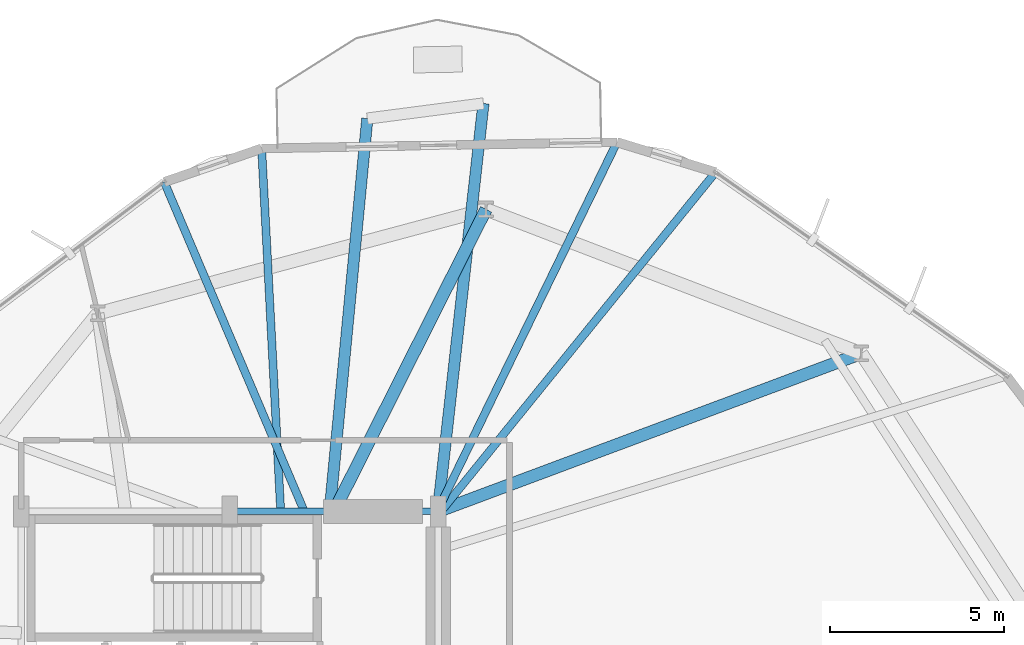
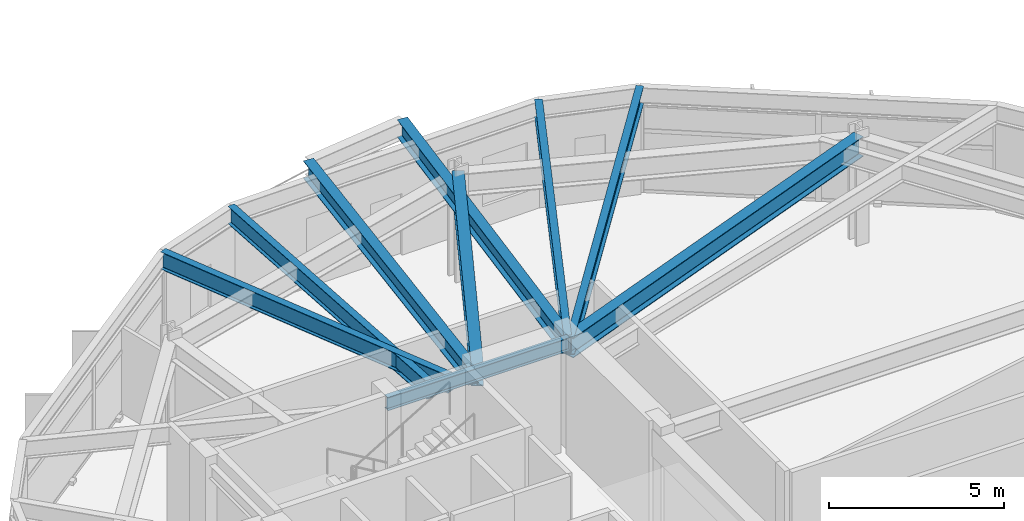
# One storey, part 12 of 23: 9 beams.
"""IFC4 building model written with IfcOpenShell, lengths in metres."""

import ifcopenshell
import ifcopenshell.guid

model = None  # the IFC model being written
_history = None  # IfcOwnerHistory: only IFC2X3 demands one
_inside = {}  # id of a spatial element -> (the spatial element, [elements in it])
_under = {}  # id of a project, library or spatial element -> (it, [spatial elements below it])
_declared = {}  # id of a project -> (the project, [libraries it declares])
_typed = {}  # id of a type object -> (the type object, [elements of that type])
_made_of = {}  # id of a material, layer set ... -> (it, [elements and type objects made of it])


def new_model(schema):
    """Start an empty IFC model of exactly this schema.

    Asked for "IFC4X3", IfcOpenShell would pick the latest addendum, in which some entities
    have other attributes; the version numbers below select the first issue.
    IFC2X3 requires an IfcOwnerHistory on every rooted entity: one is made here for all.
    """
    global model, _history
    if schema == "IFC4X3":
        model = ifcopenshell.file(schema_version=(4, 3, 0, 0))
    else:
        model = ifcopenshell.file(schema=schema)
    _inside.clear()
    _under.clear()
    _declared.clear()
    _typed.clear()
    _made_of.clear()
    _history = None
    if model.schema == "IFC2X3":
        org = make("IfcOrganization", Name="unknown")
        user = make(
            "IfcPersonAndOrganization",
            ThePerson=make("IfcPerson", FamilyName="unknown"),
            TheOrganization=org,
        )
        app = make(
            "IfcApplication",
            ApplicationDeveloper=org,
            Version="unknown",
            ApplicationFullName="unknown",
            ApplicationIdentifier="unknown",
        )
        _history = make(
            "IfcOwnerHistory",
            OwningUser=user,
            OwningApplication=app,
            ChangeAction="ADDED",
            CreationDate=0,
        )
    return model


def make(cls, **values):
    """One entity of the class cls with the attributes given. An attribute that is None is left unset."""
    return model.create_entity(
        cls, **{name: value for name, value in values.items() if value is not None}
    )


def rooted(cls, **values):
    """An entity with a GlobalId (a new one), such as an element, a storey or a relation."""
    return make(cls, GlobalId=ifcopenshell.guid.new(), OwnerHistory=_history, **values)


def si_unit(unit_type, name, prefix=None):
    """IfcSIUnit, for example si_unit("LENGTHUNIT", "METRE", prefix="MILLI")."""
    return make("IfcSIUnit", UnitType=unit_type, Prefix=prefix, Name=name)


def assignment(units):
    """IfcUnitAssignment: the units of a project."""
    return None if units is None else make("IfcUnitAssignment", Units=units)


def point(xyz):
    """IfcCartesianPoint."""
    return None if xyz is None else make("IfcCartesianPoint", Coordinates=xyz)


def direction(xyz):
    """IfcDirection."""
    return None if xyz is None else make("IfcDirection", DirectionRatios=xyz)


def frame(location, z_axis=None, x_axis=None):
    """IfcAxis2Placement3D, a coordinate frame: its origin and axes. An axis left out is left unset."""
    return make(
        "IfcAxis2Placement3D",
        Location=point(location),
        Axis=direction(z_axis),
        RefDirection=direction(x_axis),
    )


def frame_2d(location, x_axis=None):
    """IfcAxis2Placement2D, a coordinate frame in the plane: its origin and x axis."""
    return make(
        "IfcAxis2Placement2D", Location=point(location), RefDirection=direction(x_axis)
    )


def origin():
    """The frame at (0, 0, 0) with its axes left unset."""
    return frame((0.0, 0.0, 0.0))


def origin_2d():
    """The frame at (0, 0) in the plane with its x axis left unset."""
    return frame_2d((0.0, 0.0))


def place(relative_to, where):
    """IfcLocalPlacement: puts the frame where relative to a parent placement (None: the world)."""
    return make(
        "IfcLocalPlacement", PlacementRelTo=relative_to, RelativePlacement=where
    )


def context(
    kind, dimensions, precision=None, world=None, true_north=None, identifier=None
):
    """IfcGeometricRepresentationContext, for example the 3D "Model" context."""
    return make(
        "IfcGeometricRepresentationContext",
        ContextIdentifier=identifier,
        ContextType=kind,
        CoordinateSpaceDimension=dimensions,
        Precision=precision,
        WorldCoordinateSystem=world,
        TrueNorth=true_north,
    )


def subcontext(parent, identifier, kind, view, scale=None):
    """IfcGeometricRepresentationSubContext, for example "Body" below "Model"."""
    return make(
        "IfcGeometricRepresentationSubContext",
        ContextIdentifier=identifier,
        ContextType=kind,
        ParentContext=parent,
        TargetScale=scale,
        TargetView=view,
    )


def project(units=None, contexts=None):
    """IfcProject with its units and contexts."""
    return rooted(
        "IfcProject",
        Name="project",
        RepresentationContexts=contexts,
        UnitsInContext=assignment(units),
    )


def spatial(cls, under=None, at=None, **own):
    """A site, building, storey or space (cls), placed at a placement, below another one or the project."""
    s = rooted(cls, ObjectPlacement=at, **own)
    if under is not None:
        _under.setdefault(under.id(), (under, []))[1].append(s)
    return s


def profile(cls, at=None, kind="AREA", **sizes):
    """A parametric profile (cls). Its sizes go by their IFC names, for example OverallWidth=200.0."""
    return make(cls, ProfileType=kind, Position=at, **sizes)


def i_section(**sizes):
    """IfcIShapeProfileDef."""
    return profile("IfcIShapeProfileDef", **sizes)


def extrude(swept, where, along, depth):
    """IfcExtrudedAreaSolid: the profile swept, set in the frame where, extruded along a direction by depth."""
    return make(
        "IfcExtrudedAreaSolid",
        SweptArea=swept,
        Position=where,
        ExtrudedDirection=direction(along),
        Depth=depth,
    )


def shape(context_of_items, identifier, shape_type, items):
    """IfcShapeRepresentation: the items that make up one representation, for example the "Body"."""
    return make(
        "IfcShapeRepresentation",
        ContextOfItems=context_of_items,
        RepresentationIdentifier=identifier,
        RepresentationType=shape_type,
        Items=items,
    )


def material(Name=None, Category=None):
    """IfcMaterial."""
    return make("IfcMaterial", Name=Name, Category=Category)


def material_profile(
    of_material, cross_section, Name=None, Category=None, Priority=None
):
    """IfcMaterialProfile: a cross section and its material."""
    return make(
        "IfcMaterialProfile",
        Name=Name,
        Material=of_material,
        Profile=cross_section,
        Priority=Priority,
        Category=Category,
    )


def profile_set(profiles, Name=None, composite=None):
    """IfcMaterialProfileSet."""
    return make(
        "IfcMaterialProfileSet",
        Name=Name,
        MaterialProfiles=profiles,
        CompositeProfile=composite,
    )


def made_of(thing, what):
    """Note that an element or type object is made of a material, layer set ...; save() writes the relation."""
    if what is not None:
        _made_of.setdefault(what.id(), (what, []))[1].append(thing)
    return thing


def type_object(cls, material=None, **own):
    """A type object (cls), such as IfcWallType, which elements share."""
    return made_of(rooted(cls, **own), material)


def element(
    cls,
    number,
    at=None,
    inside=None,
    cuts=None,
    type_object=None,
    material=None,
    context=None,
    identifier="Body",
    shape_type=None,
    held_by="IfcProductDefinitionShape",
    body=None,
    shapes=None,
    **own,
):
    """One element of the class cls, such as IfcWall. Its Tag is "e" and its number.

    at: its placement. inside: the storey or other place that contains it. cuts: it is an
    opening in that element (IfcRelVoidsElement). A single representation is given by context,
    identifier, shape_type and body (its items); several are given by shapes. held_by: the class
    of the entity that holds the representations. save() writes the other relations.
    """
    e = rooted(cls, Tag="e%d" % number, ObjectPlacement=at, **own)
    if body is not None:
        shapes = [shape(context, identifier, shape_type, body)]
    if shapes is not None:
        e.Representation = make(held_by, Representations=shapes)
    if inside is not None:
        _inside.setdefault(inside.id(), (inside, []))[1].append(e)
    if cuts is not None:
        rooted(
            "IfcRelVoidsElement", RelatingBuildingElement=cuts, RelatedOpeningElement=e
        )
    if type_object is not None:
        _typed.setdefault(type_object.id(), (type_object, []))[1].append(e)
    return made_of(e, material)


def aggregate(whole, parts):
    """IfcRelAggregates: a whole, such as a stair, and the parts it consists of."""
    return rooted("IfcRelAggregates", RelatingObject=whole, RelatedObjects=parts)


def save(model, path):
    """Write the relations noted so far, then the file.

    IfcRelAggregates (storeys below a building ...), IfcRelContainedInSpatialStructure (elements
    in a storey), IfcRelDefinesByType, IfcRelAssociatesMaterial and IfcRelDeclares: one each for
    every whole, place, type object, material and project.
    """
    for whole, parts in _under.values():
        aggregate(whole, parts)
    for where, things in _inside.values():
        rooted(
            "IfcRelContainedInSpatialStructure",
            RelatedElements=things,
            RelatingStructure=where,
        )
    for kind, things in _typed.values():
        rooted("IfcRelDefinesByType", RelatedObjects=things, RelatingType=kind)
    for what, things in _made_of.values():
        rooted("IfcRelAssociatesMaterial", RelatedObjects=things, RelatingMaterial=what)
    for by, libraries in _declared.values():
        rooted("IfcRelDeclares", RelatingContext=by, RelatedDefinitions=libraries)
    model.write(path)


model = new_model("IFC4")

# Units and contexts
model_context = context("Model", 3, precision=1e-05, world=origin(), true_north=direction((0.0, 1.0)))
body_context = subcontext(model_context, "Body", "Model", "MODEL_VIEW")
ifc_project = project(units=[si_unit("LENGTHUNIT", "METRE"), si_unit("AREAUNIT", "SQUARE_METRE"), si_unit("VOLUMEUNIT", "CUBIC_METRE"), si_unit("PLANEANGLEUNIT", "RADIAN"), si_unit("MASSUNIT", "GRAM", prefix="KILO")], contexts=[model_context])

# Site, building, storey
site_placement = place(None, origin())
site = spatial("IfcSite", under=ifc_project, at=site_placement, CompositionType="ELEMENT")
building_placement = place(site_placement, origin())
building = spatial("IfcBuilding", under=site, at=building_placement, Name="Soratama Intermodal Tower", CompositionType="ELEMENT")
storey_placement = place(building_placement, frame((0.0, 0.0, 30.60009765625)))
storey = spatial("IfcBuildingStorey", under=building, at=storey_placement, Name="L06", CompositionType="ELEMENT", Elevation=30.60009765625)

# Beams
ifc_material_1 = material(Name="Structural steel ASTM A992 Grade 50", Category="steel")
ifc_material_profile_1 = material_profile(ifc_material_1, i_section(OverallWidth=0.324951171875, OverallDepth=0.615966796875, WebThickness=0.013916015625, FlangeThickness=0.021484375, FilletRadius=0.013916015625, at=origin_2d()), Name="W24X117")
ifc_profile_set_1 = profile_set([ifc_material_profile_1], Name="Structural steel ASTM A992 Grade 50")
beam_type_1 = type_object("IfcBeamType", Name="BM-CANT-W24X117", PredefinedType="BEAM", material=ifc_profile_set_1)
beam_1_placement = place(storey_placement, frame((44.595947265625, 35.0400390625, 3.391845703125), z_axis=(0.111166480456, 0.993801797957, 0.0), x_axis=(-0.993801797957, 0.111166480456, 0.0)))
element("IfcBeam", 1, at=beam_1_placement, inside=storey, type_object=beam_type_1, Name="BM-L06-CANT-2-1", PredefinedType="BEAM", context=body_context, shape_type="SweptSolid", body=[
    extrude(i_section(OverallWidth=0.324951171875, OverallDepth=0.615966796875, WebThickness=0.013916015625, FlangeThickness=0.021484375, FilletRadius=0.013916015625, at=origin_2d()), origin(), (0.0, 0.0, 1.0), 11.77587890625),
])
beam_2_placement = place(storey_placement, frame((41.48193359375, 35.0400390625, 3.391845703125), z_axis=(0.095415685915, 0.995437515307, 0.0), x_axis=(-0.995437515307, 0.095415685915, 0.0)))
element("IfcBeam", 2, at=beam_2_placement, inside=storey, type_object=beam_type_1, Name="BM-L06-CANT-2-2", PredefinedType="BEAM", context=body_context, shape_type="SweptSolid", body=[
    extrude(i_section(OverallWidth=0.324951171875, OverallDepth=0.615966796875, WebThickness=0.013916015625, FlangeThickness=0.021484375, FilletRadius=0.013916015625, at=origin_2d()), origin(), (0.0, 0.0, 1.0), 11.31982421875),
])
ifc_material_2 = material(Name="Structural steel ASTM A992 Grade 50", Category="steel")
ifc_material_profile_2 = material_profile(ifc_material_2, i_section(OverallWidth=0.19091796875, OverallDepth=0.4599609375, WebThickness=0.010009765625, FlangeThickness=0.01611328125, FilletRadius=0.010986328125, at=origin_2d()), Name="W18X55")
ifc_profile_set_2 = profile_set([ifc_material_profile_2], Name="Structural steel ASTM A992 Grade 50")
beam_type_2 = type_object("IfcBeamType", Name="BM-FLR-W18X55", PredefinedType="BEAM", material=ifc_profile_set_2)
beam_3_placement = place(storey_placement, frame((44.60009765625, 35.0, 3.469970703125), z_axis=(-1.0, 0.0, 0.0), x_axis=(0.0, -1.0, 0.0)))
element("IfcBeam", 3, at=beam_3_placement, inside=storey, type_object=beam_type_2, Name="BM-L06-CRING-06", PredefinedType="BEAM", context=body_context, shape_type="SweptSolid", body=[
    extrude(i_section(OverallWidth=0.19091796875, OverallDepth=0.4599609375, WebThickness=0.010009765625, FlangeThickness=0.01611328125, FilletRadius=0.010986328125, at=origin_2d()), origin(), (0.0, 0.0, 1.0), 6.0),
])
ifc_material_3 = material(Name="Structural steel ASTM A992 Grade 50", Category="steel")
ifc_material_profile_3 = material_profile(ifc_material_3, i_section(OverallWidth=0.35498046875, OverallDepth=0.695068359375, WebThickness=0.015380859375, FlangeThickness=0.02490234375, FilletRadius=0.01611328125, at=origin_2d()), Name="W27X146")
ifc_profile_set_3 = profile_set([ifc_material_profile_3], Name="Structural steel ASTM A992 Grade 50")
beam_type_3 = type_object("IfcBeamType", Name="BM-RING-W27X146", PredefinedType="BEAM", material=ifc_profile_set_3)
beam_4_placement = place(storey_placement, frame((44.60009765625, 35.0, 3.352294921875), z_axis=(0.936827486358, 0.349791739189, 0.0), x_axis=(-0.349791739189, 0.936827486358, 0.0)))
element("IfcBeam", 4, at=beam_4_placement, inside=storey, type_object=beam_type_3, Name="BM-L06-RAD-02", PredefinedType="BEAM", context=body_context, shape_type="SweptSolid", body=[
    extrude(i_section(OverallWidth=0.35498046875, OverallDepth=0.695068359375, WebThickness=0.015380859375, FlangeThickness=0.02490234375, FilletRadius=0.01611328125, at=origin_2d()), origin(), (0.0, 0.0, 1.0), 13.002197265625),
])
beam_5_placement = place(storey_placement, frame((41.60009765625, 35.0, 3.352294921875), z_axis=(0.449910017166, 0.893073891934, 0.0), x_axis=(-0.893073891934, 0.449910017166, 0.0)))
element("IfcBeam", 5, at=beam_5_placement, inside=storey, type_object=beam_type_3, Name="BM-L06-RAD-03", PredefinedType="BEAM", context=body_context, shape_type="SweptSolid", body=[
    extrude(i_section(OverallWidth=0.35498046875, OverallDepth=0.695068359375, WebThickness=0.015380859375, FlangeThickness=0.02490234375, FilletRadius=0.01611328125, at=origin_2d()), origin(), (0.0, 0.0, 1.0), 9.735107421875),
])
ifc_material_4 = material(Name="Structural steel ASTM A992 Grade 50", Category="steel")
ifc_material_profile_4 = material_profile(ifc_material_4, i_section(OverallWidth=0.22900390625, OverallDepth=0.612060546875, WebThickness=0.011962890625, FlangeThickness=0.01953125, FilletRadius=0.012939453125, at=origin_2d()), Name="W24X84")
ifc_profile_set_4 = profile_set([ifc_material_profile_4], Name="Structural steel ASTM A992 Grade 50")
beam_type_4 = type_object("IfcBeamType", Name="BM-TIE-W24X84", PredefinedType="BEAM", material=ifc_profile_set_4)
beam_6_placement = place(storey_placement, frame((44.625, 34.93310546875, 3.393798828125), z_axis=(0.629325360479, 0.777141937267, 0.0), x_axis=(-0.777141937267, 0.629325360479, 0.0)))
element("IfcBeam", 6, at=beam_6_placement, inside=storey, type_object=beam_type_4, Name="BM-L06-TIE1-02", PredefinedType="BEAM", context=body_context, shape_type="SweptSolid", body=[
    extrude(i_section(OverallWidth=0.22900390625, OverallDepth=0.612060546875, WebThickness=0.011962890625, FlangeThickness=0.01953125, FilletRadius=0.012939453125, at=origin_2d()), origin(), (0.0, 0.0, 1.0), 12.64990234375),
])
beam_7_placement = place(storey_placement, frame((44.590087890625, 35.035888671875, 3.393798828125), z_axis=(0.437774933441, 0.899084594268, 0.0), x_axis=(-0.899084594268, 0.437774933441, 0.0)))
element("IfcBeam", 7, at=beam_7_placement, inside=storey, type_object=beam_type_4, Name="BM-L06-TIE0-03", PredefinedType="BEAM", context=body_context, shape_type="SweptSolid", body=[
    extrude(i_section(OverallWidth=0.22900390625, OverallDepth=0.612060546875, WebThickness=0.011962890625, FlangeThickness=0.01953125, FilletRadius=0.012939453125, at=origin_2d()), origin(), (0.0, 0.0, 1.0), 11.784423828125),
])
beam_8_placement = place(storey_placement, frame((40.06591796875, 35.0400390625, 3.393798828125), z_axis=(-0.052373197469, 0.998627582328, 0.0), x_axis=(-0.998627582328, -0.052373197469, 0.0)))
element("IfcBeam", 8, at=beam_8_placement, inside=storey, type_object=beam_type_4, Name="BM-L06-TIE1-03", PredefinedType="BEAM", context=body_context, shape_type="SweptSolid", body=[
    extrude(i_section(OverallWidth=0.22900390625, OverallDepth=0.612060546875, WebThickness=0.011962890625, FlangeThickness=0.01953125, FilletRadius=0.012939453125, at=origin_2d()), origin(), (0.0, 0.0, 1.0), 10.42333984375),
])
beam_9_placement = place(storey_placement, frame((40.73193359375, 35.037109375, 3.393798828125), z_axis=(-0.391371322649, 0.920232844343, 0.0), x_axis=(-0.920232844343, -0.391371322649, 0.0)))
element("IfcBeam", 9, at=beam_9_placement, inside=storey, type_object=beam_type_4, Name="BM-L06-TIE0-04", PredefinedType="BEAM", context=body_context, shape_type="SweptSolid", body=[
    extrude(i_section(OverallWidth=0.22900390625, OverallDepth=0.612060546875, WebThickness=0.011962890625, FlangeThickness=0.01953125, FilletRadius=0.012939453125, at=origin_2d()), origin(), (0.0, 0.0, 1.0), 10.263427734375),
])

save(model, "model.ifc")
